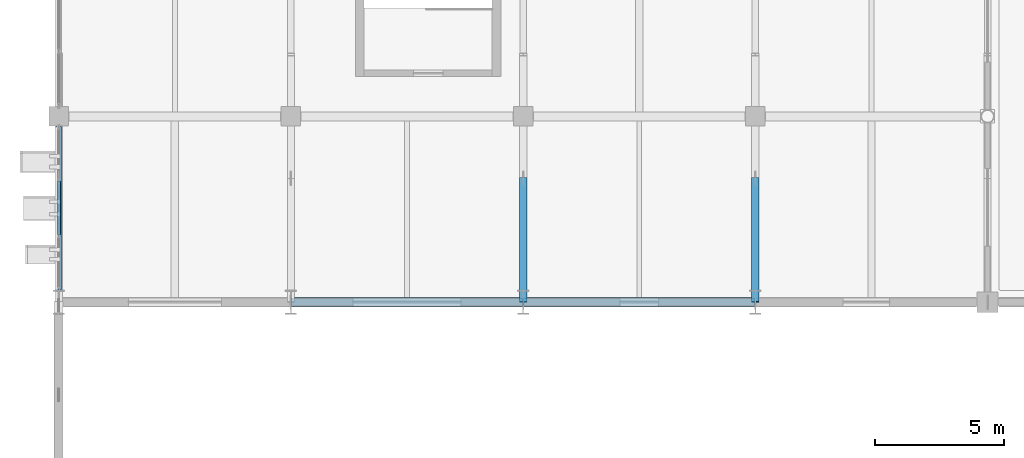
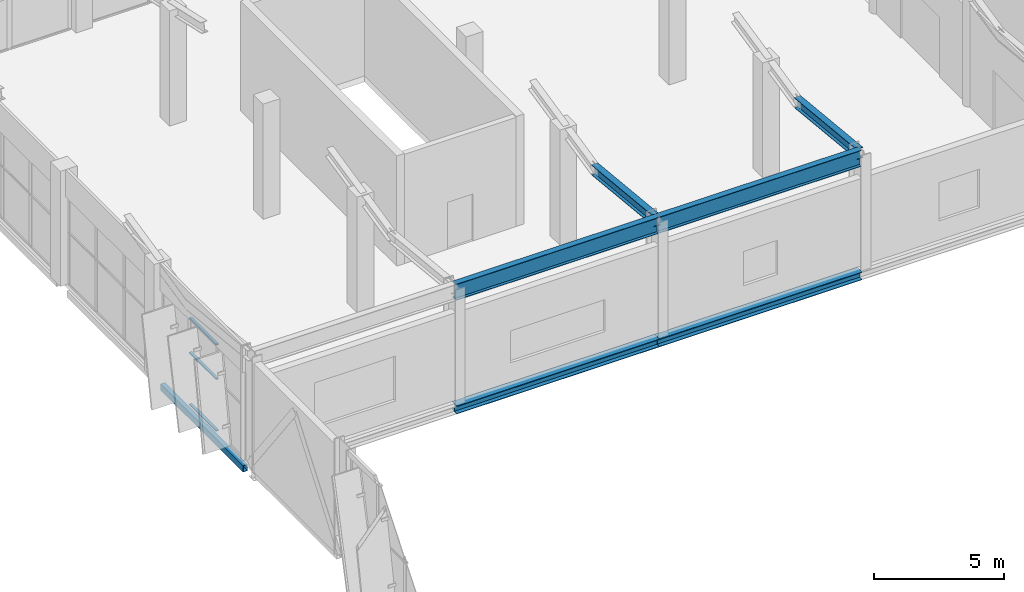
# One storey, part 36 of 189: 5 beams, 5 members, 1 element without a shape of its own.
"""IFC4 building model written with IfcOpenShell, lengths in metres."""

from ifc_helpers import new_model, si_unit, direction, frame, origin, origin_2d, place, context, subcontext, project, spatial, hollow_rectangle, i_section, extrude, material, layer, layer_set, material_profile, profile_set, type_object, element, aggregate, save


model = new_model("IFC4")

# Units and contexts
model_context = context("Model", 3, precision=1e-05, world=origin(), true_north=direction((0.0, 1.0)))
body_context = subcontext(model_context, "Body", "Model", "MODEL_VIEW")
ifc_project = project(units=[si_unit("LENGTHUNIT", "METRE"), si_unit("AREAUNIT", "SQUARE_METRE"), si_unit("VOLUMEUNIT", "CUBIC_METRE"), si_unit("PLANEANGLEUNIT", "RADIAN"), si_unit("MASSUNIT", "GRAM", prefix="KILO")], contexts=[model_context])

# Site, building, storey
site_placement = place(None, origin())
site = spatial("IfcSite", under=ifc_project, at=site_placement, CompositionType="ELEMENT")
building_placement = place(site_placement, origin())
building = spatial("IfcBuilding", under=site, at=building_placement, Name="Celestram Park Convention Centre", CompositionType="ELEMENT")
storey_placement = place(building_placement, frame((0.0, 0.0, 5.39990234375)))
storey = spatial("IfcBuildingStorey", under=building, at=storey_placement, Name="L01", CompositionType="ELEMENT", Elevation=5.39990234375)

# Curtain wall, members
ifc_material_1 = material(Name="Anodised Aluminium Alloy 6063-T6", Category="aluminium")
ifc_layer = layer(ifc_material_1, 0.179931640625)
ifc_layer_set = layer_set([ifc_layer], Name="Anodised Aluminium Alloy 6063-T6")
curtain_wall_type = type_object("IfcCurtainWallType", Name="ARC-CW-636X410", PredefinedType="NOTDEFINED", material=ifc_layer_set)
curtain_wall_placement = place(storey_placement, origin())
curtain_wall = element("IfcCurtainWall", 1, at=curtain_wall_placement, inside=storey, type_object=curtain_wall_type, Name="Unitised curtain wall CU-L01-043", PredefinedType="NOTDEFINED")
ifc_material_profile_1 = material_profile(ifc_material_1, hollow_rectangle(XDim=0.1201171875, YDim=0.06005859375, WallThickness=0.0029296875, at=origin_2d()), Name="ALU120X60X3")
ifc_profile_set_1 = profile_set([ifc_material_profile_1], Name="Anodised Aluminium Alloy 6063-T6")
member_type_1 = type_object("IfcMemberType", Name="ARC-CWT-120", PredefinedType="USERDEFINED", material=ifc_profile_set_1)
member_1_placement = place(storey_placement, frame((0.0, 110.617431640625, 0.030029296875), z_axis=(0.0, 1.0, 0.0), x_axis=(-1.0, 0.0, 0.0)))
member_1 = element("IfcMember", 2, at=member_1_placement, type_object=member_type_1, Name="CW-63X41 transom 2.1", ObjectType="TRANSOM", PredefinedType="USERDEFINED", context=body_context, shape_type="SweptSolid", body=[
    extrude(hollow_rectangle(XDim=0.1201171875, YDim=0.06005859375, WallThickness=0.0029296875, at=origin_2d()), origin(), (0.0, 0.0, 1.0), 2.05615234375),
])
member_2_placement = place(storey_placement, frame((0.0, 110.617431640625, 2.460205078125), z_axis=(0.0, 1.0, 0.0), x_axis=(-1.0, 0.0, 0.0)))
member_2 = element("IfcMember", 3, at=member_2_placement, type_object=member_type_1, Name="CW-63X41 transom 2.2", ObjectType="TRANSOM", PredefinedType="USERDEFINED", context=body_context, shape_type="SweptSolid", body=[
    extrude(hollow_rectangle(XDim=0.1201171875, YDim=0.06005859375, WallThickness=0.0029296875, at=origin_2d()), origin(), (0.0, 0.0, 1.0), 2.05615234375),
])
member_3_placement = place(storey_placement, frame((0.0, 110.617431640625, 4.070068359375), z_axis=(0.0, 1.0, 0.0), x_axis=(-1.0, 0.0, 0.0)))
member_3 = element("IfcMember", 4, at=member_3_placement, type_object=member_type_1, Name="CW-63X41 transom 2.3", ObjectType="TRANSOM", PredefinedType="USERDEFINED", context=body_context, shape_type="SweptSolid", body=[
    extrude(hollow_rectangle(XDim=0.1201171875, YDim=0.06005859375, WallThickness=0.0029296875, at=origin_2d()), origin(), (0.0, 0.0, 1.0), 2.05615234375),
])
aggregate(curtain_wall, [member_1, member_2, member_3])

# Beams
ifc_material_2 = material(Name="Steel ASTM A992 Grade 50", Category="steel")
ifc_material_profile_2 = material_profile(ifc_material_2, i_section(OverallWidth=0.26708984375, OverallDepth=0.761962890625, WebThickness=0.014404296875, FlangeThickness=0.021484375, at=origin_2d()), Name="W30X116")
ifc_profile_set_2 = profile_set([ifc_material_profile_2], Name="Steel ASTM A992 Grade 50")
beam_type_1 = type_object("IfcBeamType", Name="STR-BM-W30X116", PredefinedType="BEAM", material=ifc_profile_set_2)
for number, where, z_axis, x_axis, name in (
    (5, (9.010009765625, 108.0, 5.01904296875), (1.0, 0.0, 0.0), (0.0, 1.0, 0.0), "West pavilion eaves girder BG-L01-0614"),
    (6, (18.010009765625, 108.0, 5.01904296875), (1.0, 0.0, 0.0), (0.0, 1.0, 0.0), "West pavilion eaves girder BG-L01-0615"),
):
    element("IfcBeam", number, at=place(storey_placement, frame(where, z_axis=z_axis, x_axis=x_axis)), inside=storey, type_object=beam_type_1, Name=name, PredefinedType="BEAM", context=body_context, shape_type="SweptSolid", body=[
        extrude(i_section(OverallWidth=0.26708984375, OverallDepth=0.761962890625, WebThickness=0.014404296875, FlangeThickness=0.021484375, at=origin_2d()), origin(), (0.0, 0.0, 1.0), 8.97998046875),
    ])

# Members
ifc_material_profile_3 = material_profile(ifc_material_2, i_section(OverallWidth=0.281982421875, OverallDepth=0.467041015625, WebThickness=0.01220703125, FlangeThickness=0.01953125, at=origin_2d()), Name="W18X86")
ifc_profile_set_3 = profile_set([ifc_material_profile_3], Name="Steel ASTM A992 Grade 50")
member_type_2 = type_object("IfcMemberType", Name="STR-CHD-W18X86", PredefinedType="CHORD", material=ifc_profile_set_3)
for number, where, z_axis, x_axis, name in (
    (7, (18.0, 108.0, 5.1640625), (0.0, 0.994972344387, -0.100150056942), (-1.0, 0.0, 0.0), "WPV arch bottom chord"),
    (8, (27.0, 108.0, 5.1640625), (0.0, 0.994972344387, -0.100150056942), (-1.0, 0.0, 0.0), "WPV arch bottom chord"),
):
    element("IfcMember", number, at=place(storey_placement, frame(where, z_axis=z_axis, x_axis=x_axis)), inside=storey, type_object=member_type_2, Name=name, PredefinedType="CHORD", context=body_context, shape_type="SweptSolid", body=[
        extrude(i_section(OverallWidth=0.281982421875, OverallDepth=0.467041015625, WebThickness=0.01220703125, FlangeThickness=0.01953125, at=origin_2d()), origin(), (0.0, 0.0, 1.0), 4.82421875),
    ])

# Beams
ifc_material_3 = material(Name="Steel ASTM A500 Grade C", Category="steel")
ifc_material_profile_4 = material_profile(ifc_material_3, hollow_rectangle(XDim=0.199951171875, YDim=0.300048828125, WallThickness=0.011962890625, at=origin_2d()), Name="HSS300X200X12")
ifc_profile_set_4 = profile_set([ifc_material_profile_4], Name="Steel ASTM A500 Grade C")
beam_type_2 = type_object("IfcBeamType", Name="STR-SPN-HSS300X200", PredefinedType="SPANDREL", material=ifc_profile_set_4)
beam_placement = place(storey_placement, frame((0.0, 108.464111328125, -0.429931640625), z_axis=(0.0, 1.0, 0.0), x_axis=(-1.0, 0.0, 0.0)))
element("IfcBeam", 9, at=beam_placement, inside=storey, type_object=beam_type_2, Name="Primary Y-girder BG-L01-0002", PredefinedType="SPANDREL", context=body_context, shape_type="SweptSolid", body=[
    extrude(hollow_rectangle(XDim=0.199951171875, YDim=0.300048828125, WallThickness=0.011962890625, at=origin_2d()), origin(), (0.0, 0.0, 1.0), 6.337890625),
])
ifc_material_profile_5 = material_profile(ifc_material_2, i_section(OverallWidth=0.373046875, OverallDepth=0.373046875, WebThickness=0.016357421875, FlangeThickness=0.026123046875, at=origin_2d()), Name="W14X132")
ifc_profile_set_5 = profile_set([ifc_material_profile_5], Name="Steel ASTM A992 Grade 50")
beam_type_3 = type_object("IfcBeamType", Name="STR-SPN-W14X132", PredefinedType="SPANDREL", material=ifc_profile_set_5)
for number, where, z_axis, x_axis, name in (
    (10, (9.010009765625, 108.0, -0.46630859375), (1.0, 0.0, 0.0), (0.0, 1.0, 0.0), "Primary X-girder BG-L01-0010"),
    (11, (18.010009765625, 108.0, -0.46630859375), (1.0, 0.0, 0.0), (0.0, 1.0, 0.0), "Primary X-girder BG-L01-0018"),
):
    element("IfcBeam", number, at=place(storey_placement, frame(where, z_axis=z_axis, x_axis=x_axis)), inside=storey, type_object=beam_type_3, Name=name, PredefinedType="SPANDREL", context=body_context, shape_type="SweptSolid", body=[
        extrude(i_section(OverallWidth=0.373046875, OverallDepth=0.373046875, WebThickness=0.016357421875, FlangeThickness=0.026123046875, at=origin_2d()), origin(), (0.0, 0.0, 1.0), 8.97998046875),
    ])

save(model, "model.ifc")
